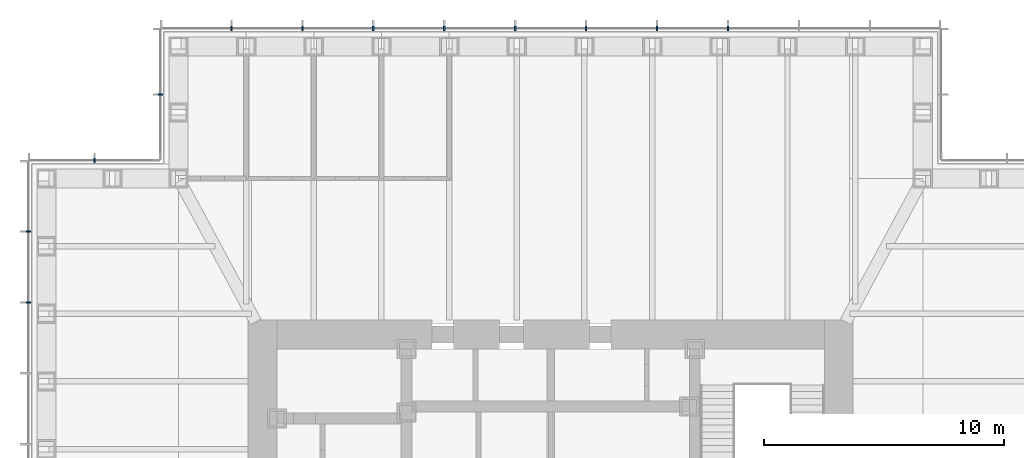
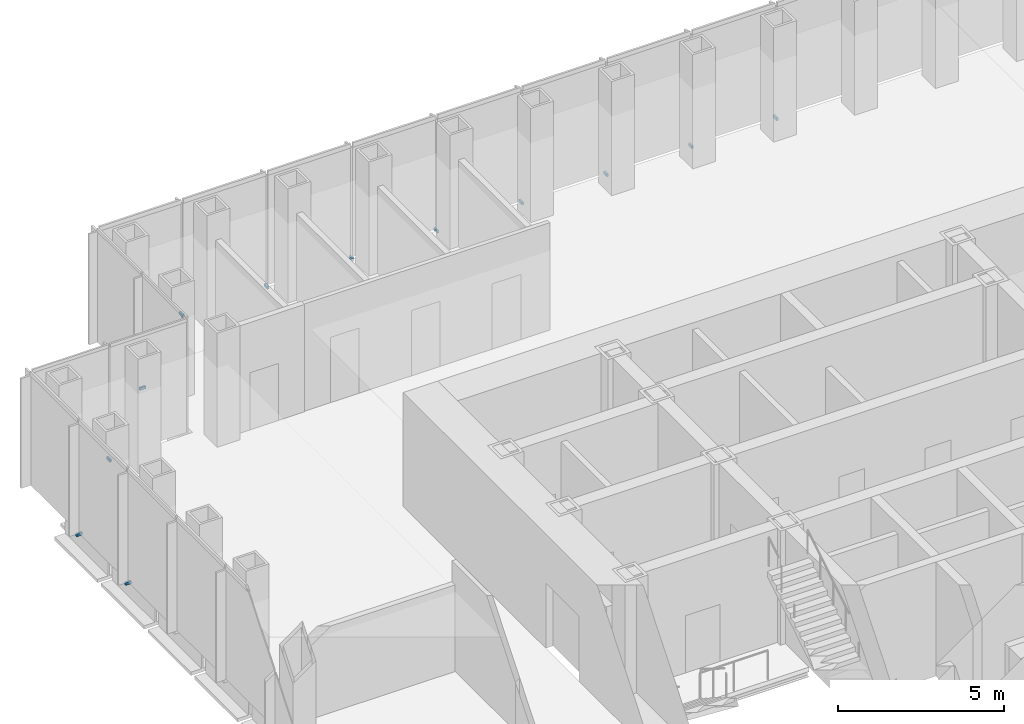
# One storey, part 14 of 16: 12 discrete accessories.
"""IFC4 building model written with IfcOpenShell, lengths in metres."""

from ifc_helpers import new_model, si_unit, direction, frame, origin, origin_2d, place, context, subcontext, project, spatial, rectangle, extrude, element, save


model = new_model("IFC4")

# Units and contexts
model_context = context("Model", 3, precision=1e-05, world=origin(), true_north=direction((0.0, 1.0)))
body_context = subcontext(model_context, "Body", "Model", "MODEL_VIEW")
ifc_project = project(units=[si_unit("LENGTHUNIT", "METRE"), si_unit("AREAUNIT", "SQUARE_METRE"), si_unit("VOLUMEUNIT", "CUBIC_METRE"), si_unit("PLANEANGLEUNIT", "RADIAN"), si_unit("MASSUNIT", "GRAM", prefix="KILO")], contexts=[model_context])

# Site, building, storey
site_placement = place(None, origin())
site = spatial("IfcSite", under=ifc_project, at=site_placement, CompositionType="ELEMENT")
building_placement = place(site_placement, origin())
building = spatial("IfcBuilding", under=site, at=building_placement, Name="Daluyong Arena Tower", CompositionType="ELEMENT")
storey_placement = place(building_placement, frame((0.0, 0.0, 240.10009765625)))
storey = spatial("IfcBuildingStorey", under=building, at=storey_placement, Name="L54", CompositionType="ELEMENT", Elevation=240.10009765625)

# Discrete accessories
for number, where, z_axis, x_axis, name in (
    (1, (63.386474609375, 101.75, -0.10009765625), (0.0, 0.0, 1.0), (-1.0, 0.0, 0.0), "curtain wall L54 N anchor bracket 4"),
    (2, (60.431884765625, 101.75, -0.10009765625), (0.0, 0.0, 1.0), (-1.0, 0.0, 0.0), "curtain wall L54 N anchor bracket 5"),
    (3, (57.477294921875, 101.75, -0.10009765625), (0.0, 0.0, 1.0), (-1.0, 0.0, 0.0), "curtain wall L54 N anchor bracket 6"),
    (4, (54.522705078125, 101.75, -0.10009765625), (0.0, 0.0, 1.0), (-1.0, 0.0, 0.0), "curtain wall L54 N anchor bracket 7"),
    (5, (51.568115234375, 101.75, -0.10009765625), (0.0, 0.0, 1.0), (-1.0, 0.0, 0.0), "curtain wall L54 N anchor bracket 8"),
    (6, (48.613525390625, 101.75, -0.10009765625), (0.0, 0.0, 1.0), (-1.0, 0.0, 0.0), "curtain wall L54 N anchor bracket 9"),
    (7, (45.6591796875, 101.75, -0.10009765625), (0.0, 0.0, 1.0), (-1.0, 0.0, 0.0), "curtain wall L54 N anchor bracket 10"),
    (8, (42.70458984375, 101.75, -0.10009765625), (0.0, 0.0, 1.0), (-1.0, 0.0, 0.0), "curtain wall L54 N anchor bracket 11"),
):
    element("IfcDiscreteAccessory", number, at=place(storey_placement, frame(where, z_axis=z_axis, x_axis=x_axis)), inside=storey, Name=name, PredefinedType="BRACKET", context=body_context, shape_type="SweptSolid", body=[
        extrude(rectangle(XDim=0.070068359375, YDim=0.199951171875, at=origin_2d()), origin(), (0.0, 0.0, 1.0), 0.10009765625),
    ])
for number, where, z_axis, x_axis, name in (
    (9, (39.75, 99.0, -0.10009765625), (0.0, 0.0, 1.0), (0.0, -1.0, 0.0), "curtain wall L54 NW-W anchor bracket 2"),
    (10, (37.0, 96.25, -0.10009765625), (0.0, 0.0, 1.0), (-1.0, 0.0, 0.0), "curtain wall L54 NW-N anchor bracket 2"),
):
    element("IfcDiscreteAccessory", number, at=place(storey_placement, frame(where, z_axis=z_axis, x_axis=x_axis)), inside=storey, Name=name, PredefinedType="BRACKET", context=body_context, shape_type="SweptSolid", body=[
        extrude(rectangle(XDim=0.06005859375, YDim=0.199951171875, at=origin_2d()), origin(), (0.0, 0.0, 1.0), 0.10009765625),
    ])
for number, where, z_axis, x_axis, name in (
    (11, (34.25, 93.29541015625, -0.10009765625), (0.0, 0.0, 1.0), (0.0, -1.0, 0.0), "curtain wall L54 W anchor bracket 2"),
    (12, (34.25, 90.3408203125, -0.10009765625), (0.0, 0.0, 1.0), (0.0, -1.0, 0.0), "curtain wall L54 W anchor bracket 3"),
):
    element("IfcDiscreteAccessory", number, at=place(storey_placement, frame(where, z_axis=z_axis, x_axis=x_axis)), inside=storey, Name=name, PredefinedType="BRACKET", context=body_context, shape_type="SweptSolid", body=[
        extrude(rectangle(XDim=0.070068359375, YDim=0.199951171875, at=origin_2d()), origin(), (0.0, 0.0, 1.0), 0.10009765625),
    ])

save(model, "model.ifc")
